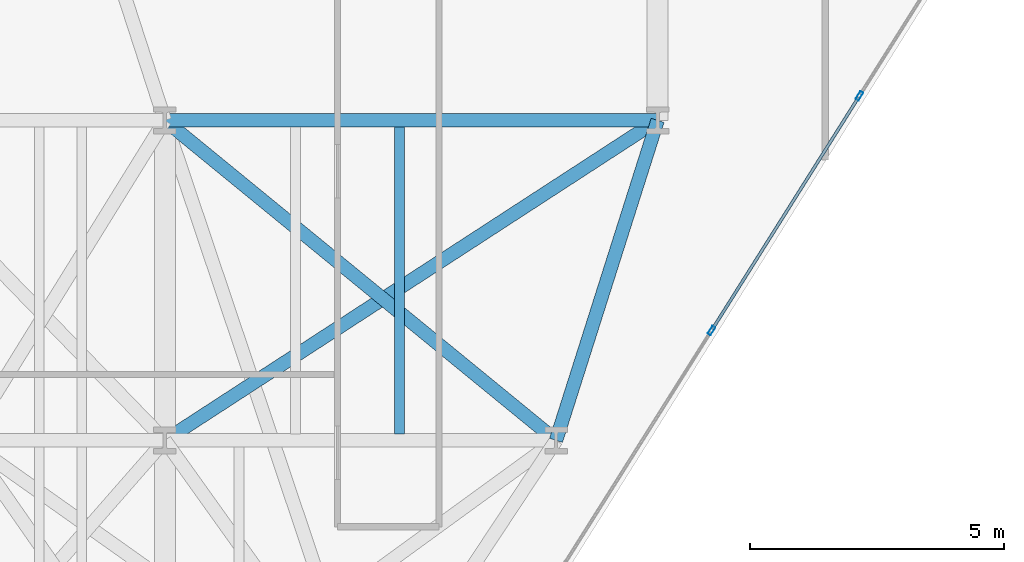
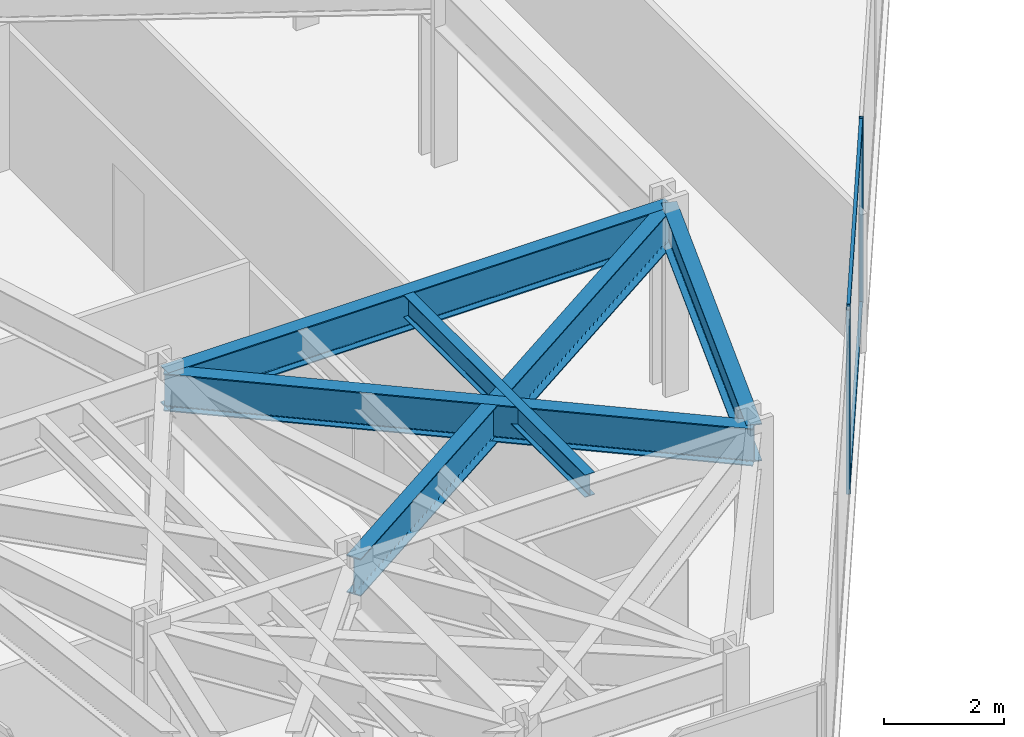
# One storey, part 6 of 25: 5 beams, 4 members, 1 element without a shape of its own.
"""IFC4 building model written with IfcOpenShell, lengths in metres."""

from ifc_helpers import new_model, si_unit, direction, frame, origin, origin_2d, place, context, subcontext, project, spatial, hollow_rectangle, i_section, extrude, material, layer, layer_set, material_profile, profile_set, type_object, element, aggregate, save


model = new_model("IFC4")

# Units and contexts
model_context = context("Model", 3, precision=1e-05, world=origin(), true_north=direction((0.0, 1.0)))
body_context = subcontext(model_context, "Body", "Model", "MODEL_VIEW")
ifc_project = project(units=[si_unit("LENGTHUNIT", "METRE"), si_unit("AREAUNIT", "SQUARE_METRE"), si_unit("VOLUMEUNIT", "CUBIC_METRE"), si_unit("PLANEANGLEUNIT", "RADIAN"), si_unit("MASSUNIT", "GRAM", prefix="KILO")], contexts=[model_context])

# Site, building, storey
site_placement = place(None, origin())
site = spatial("IfcSite", under=ifc_project, at=site_placement, CompositionType="ELEMENT")
building_placement = place(site_placement, origin())
building = spatial("IfcBuilding", under=site, at=building_placement, Name="Kravanh Interchange Tower", CompositionType="ELEMENT")
storey_placement = place(building_placement, frame((0.0, 0.0, 57.5)))
storey = spatial("IfcBuildingStorey", under=building, at=storey_placement, Name="L13", CompositionType="ELEMENT", Elevation=57.5)

# Curtain wall, members
ifc_material_1 = material(Name="Anodised Bronze Aluminium", Category="aluminium")
ifc_layer = layer(ifc_material_1, 0.179931640625)
ifc_layer_set = layer_set([ifc_layer], Name="Unitised Curtain Wall System CW-Z1 Lower Office")
curtain_wall_type = type_object("IfcCurtainWallType", Name="Unitised Curtain Wall System CW-Z1 Lower Office", PredefinedType="NOTDEFINED", material=ifc_layer_set)
curtain_wall_placement = place(storey_placement, origin())
curtain_wall = element("IfcCurtainWall", 1, at=curtain_wall_placement, inside=storey, type_object=curtain_wall_type, Name="L13 Unitised Curtain Wall CW-L13-05", PredefinedType="NOTDEFINED")
ifc_material_2 = material(Name="Anodised Bronze Aluminium", Category="aluminium")
ifc_material_profile_1 = material_profile(ifc_material_2, hollow_rectangle(XDim=0.070068359375, YDim=0.179931640625, WallThickness=0.00390625, at=origin_2d()), Name="ALU70X180X4")
ifc_profile_set_1 = profile_set([ifc_material_profile_1], Name="Anodised Bronze Aluminium")
member_type_1 = type_object("IfcMemberType", Name="Curtain Wall Mullion ALU70X180X4 Bronze", PredefinedType="MULLION", material=ifc_profile_set_1)
member_1_placement = place(storey_placement, frame((31.173583984375, 14.98291015625, 0.0), z_axis=(0.0, 0.0, 1.0), x_axis=(0.845925530786, -0.53330103728, 0.0)))
member_1 = element("IfcMember", 2, at=member_1_placement, type_object=member_type_1, Name="CW-Z1 mullion 3", PredefinedType="MULLION", context=body_context, shape_type="SweptSolid", body=[
    extrude(hollow_rectangle(XDim=0.070068359375, YDim=0.179931640625, WallThickness=0.00390625, at=origin_2d()), origin(), (0.0, 0.0, 1.0), 3.739990234375),
])
member_2_placement = place(storey_placement, frame((28.26025390625, 10.362060546875, 0.0), z_axis=(0.0, 0.0, 1.0), x_axis=(0.845925530786, -0.53330103728, 0.0)))
member_2 = element("IfcMember", 3, at=member_2_placement, type_object=member_type_1, Name="CW-Z1 mullion 4", PredefinedType="MULLION", context=body_context, shape_type="SweptSolid", body=[
    extrude(hollow_rectangle(XDim=0.070068359375, YDim=0.179931640625, WallThickness=0.00390625, at=origin_2d()), origin(), (0.0, 0.0, 1.0), 3.739990234375),
])
ifc_material_3 = material(Name="Anodised Bronze Aluminium", Category="aluminium")
ifc_material_profile_2 = material_profile(ifc_material_3, hollow_rectangle(XDim=0.06005859375, YDim=0.139892578125, WallThickness=0.00390625, at=origin_2d()), Name="ALU60X140X4")
ifc_profile_set_2 = profile_set([ifc_material_profile_2], Name="Anodised Bronze Aluminium")
member_type_2 = type_object("IfcMemberType", Name="Curtain Wall Transom ALU60X140X4 Bronze", PredefinedType="USERDEFINED", material=ifc_profile_set_2)
member_3_placement = place(storey_placement, frame((31.15478515625, 14.953369140625, 0.030029296875), z_axis=(-0.533279090152, -0.845939366626, 0.0), x_axis=(0.845939366626, -0.533279090152, 0.0)))
member_3 = element("IfcMember", 4, at=member_3_placement, type_object=member_type_2, Name="CW-Z1 transom 3.1", ObjectType="TRANSOM", PredefinedType="USERDEFINED", context=body_context, shape_type="SweptSolid", body=[
    extrude(hollow_rectangle(XDim=0.06005859375, YDim=0.139892578125, WallThickness=0.00390625, at=origin_2d()), origin(), (0.0, 0.0, 1.0), 5.392578125),
])
member_4_placement = place(storey_placement, frame((31.15478515625, 14.953369140625, 3.7099609375), z_axis=(-0.533279090152, -0.845939366626, 0.0), x_axis=(0.845939366626, -0.533279090152, 0.0)))
member_4 = element("IfcMember", 5, at=member_4_placement, type_object=member_type_2, Name="CW-Z1 transom 3.2", ObjectType="TRANSOM", PredefinedType="USERDEFINED", context=body_context, shape_type="SweptSolid", body=[
    extrude(hollow_rectangle(XDim=0.06005859375, YDim=0.139892578125, WallThickness=0.00390625, at=origin_2d()), origin(), (0.0, 0.0, 1.0), 5.392578125),
])
aggregate(curtain_wall, [member_1, member_2, member_3, member_4])

# Beams
ifc_material_4 = material(Name="Structural Steel S355", Category="steel")
ifc_material_profile_3 = material_profile(ifc_material_4, i_section(OverallWidth=0.18994140625, OverallDepth=0.45703125, WebThickness=0.009033203125, FlangeThickness=0.014404296875, FilletRadius=0.01806640625, at=origin_2d()), Name="W18X50")
ifc_profile_set_3 = profile_set([ifc_material_profile_3], Name="Structural Steel S355")
beam_type_1 = type_object("IfcBeamType", Name="Floor Joist W18X50 Structural Steel S355", PredefinedType="JOIST", material=ifc_profile_set_3)
beam_1_placement = place(storey_placement, frame((22.117919921875, 8.32861328125, 3.511474609375), z_axis=(0.0, 1.0, 0.0), x_axis=(-1.0, 0.0, 0.0)))
element("IfcBeam", 6, at=beam_1_placement, inside=storey, type_object=beam_type_1, Name="L13 Secondary Floor Joist 10", PredefinedType="JOIST", context=body_context, shape_type="SweptSolid", body=[
    extrude(i_section(OverallWidth=0.18994140625, OverallDepth=0.45703125, WebThickness=0.009033203125, FlangeThickness=0.014404296875, FilletRadius=0.01806640625, at=origin_2d()), origin(), (0.0, 0.0, 1.0), 6.04296875),
])
ifc_material_5 = material(Name="Structural Steel S355", Category="steel")
ifc_material_profile_4 = material_profile(ifc_material_5, i_section(OverallWidth=0.26708984375, OverallDepth=0.761962890625, WebThickness=0.014404296875, FlangeThickness=0.021484375, FilletRadius=0.02490234375, at=origin_2d()), Name="W30X116")
ifc_profile_set_4 = profile_set([ifc_material_profile_4], Name="Structural Steel S355")
beam_type_2 = type_object("IfcBeamType", Name="Floor Spandrel W30X116 Structural Steel S355", PredefinedType="SPANDREL", material=ifc_profile_set_4)
beam_2_placement = place(storey_placement, frame((17.5, 8.199951171875, 3.35888671875), z_axis=(0.838637911458, 0.544689318295, 0.0), x_axis=(-0.544689318295, 0.838637911458, 0.0)))
element("IfcBeam", 7, at=beam_2_placement, inside=storey, type_object=beam_type_2, Name="L13 Perimeter Spandrel 139", PredefinedType="SPANDREL", context=body_context, shape_type="SweptSolid", body=[
    extrude(i_section(OverallWidth=0.26708984375, OverallDepth=0.761962890625, WebThickness=0.014404296875, FlangeThickness=0.021484375, FilletRadius=0.02490234375, at=origin_2d()), origin(), (0.0, 0.0, 1.0), 11.56640625),
])
beam_3_placement = place(storey_placement, frame((25.199951171875, 8.199951171875, 3.35888671875), z_axis=(0.30257700201, 0.953124943465, 0.0), x_axis=(-0.953124943465, 0.30257700201, 0.0)))
element("IfcBeam", 8, at=beam_3_placement, inside=storey, type_object=beam_type_2, Name="L13 Perimeter Spandrel 140", PredefinedType="SPANDREL", context=body_context, shape_type="SweptSolid", body=[
    extrude(i_section(OverallWidth=0.26708984375, OverallDepth=0.761962890625, WebThickness=0.014404296875, FlangeThickness=0.021484375, FilletRadius=0.02490234375, at=origin_2d()), origin(), (0.0, 0.0, 1.0), 6.60986328125),
])
beam_4_placement = place(storey_placement, frame((25.199951171875, 8.199951171875, 3.35888671875), z_axis=(-0.773952925799, 0.633243135491, 0.0), x_axis=(-0.633243135491, -0.773952925799, 0.0)))
element("IfcBeam", 9, at=beam_4_placement, inside=storey, type_object=beam_type_2, Name="L13 Perimeter Spandrel 141", PredefinedType="SPANDREL", context=body_context, shape_type="SweptSolid", body=[
    extrude(i_section(OverallWidth=0.26708984375, OverallDepth=0.761962890625, WebThickness=0.014404296875, FlangeThickness=0.021484375, FilletRadius=0.02490234375, at=origin_2d()), origin(), (0.0, 0.0, 1.0), 9.948974609375),
])
beam_5_placement = place(storey_placement, frame((17.5, 14.5, 3.35888671875), z_axis=(1.0, 0.0, 0.0), x_axis=(0.0, 1.0, 0.0)))
element("IfcBeam", 10, at=beam_5_placement, inside=storey, type_object=beam_type_2, Name="L13 Perimeter Spandrel 144", PredefinedType="SPANDREL", context=body_context, shape_type="SweptSolid", body=[
    extrude(i_section(OverallWidth=0.26708984375, OverallDepth=0.761962890625, WebThickness=0.014404296875, FlangeThickness=0.021484375, FilletRadius=0.02490234375, at=origin_2d()), origin(), (0.0, 0.0, 1.0), 9.699951171875),
])

save(model, "model.ifc")
